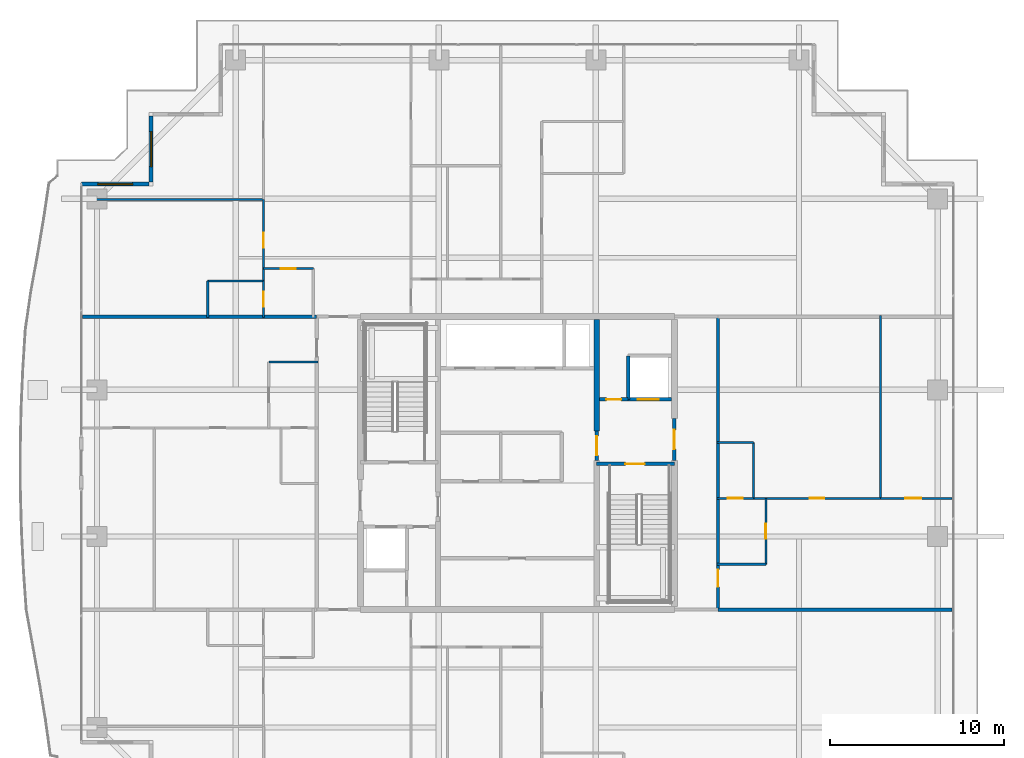
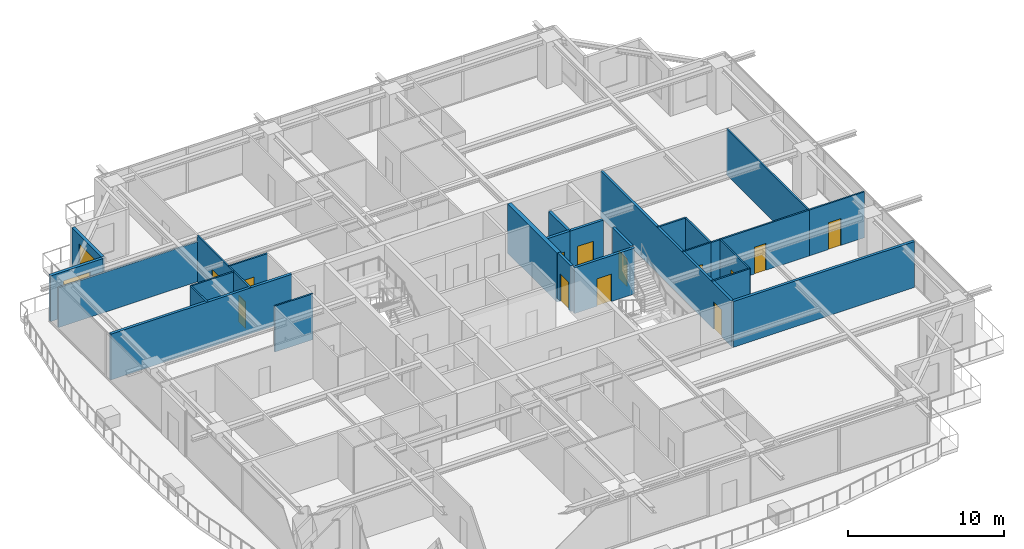
# One storey, part 27 of 36: 27 walls, 13 doors, 2 windows, 15 openings.
"""IFC4 building model written with IfcOpenShell, lengths in metres."""

from ifc_helpers import new_model, si_unit, direction, frame, frame_2d, origin, place, context, subcontext, project, spatial, rectangle, extrude, source, transform, mapped, material, layer, layer_set, type_object, element, fill, save


model = new_model("IFC4")

# Units and contexts
model_context = context("Model", 3, precision=1e-05, world=origin(), true_north=direction((0.0, 1.0)))
body_context = subcontext(model_context, "Body", "Model", "MODEL_VIEW")
ifc_project = project(units=[si_unit("LENGTHUNIT", "METRE"), si_unit("AREAUNIT", "SQUARE_METRE"), si_unit("VOLUMEUNIT", "CUBIC_METRE"), si_unit("PLANEANGLEUNIT", "RADIAN"), si_unit("MASSUNIT", "GRAM", prefix="KILO")], contexts=[model_context])

# Site, building, storey
site_placement = place(None, origin())
site = spatial("IfcSite", under=ifc_project, at=site_placement, CompositionType="ELEMENT")
building_placement = place(site_placement, origin())
building = spatial("IfcBuilding", under=site, at=building_placement, Name="Serunith Strait Residences", CompositionType="ELEMENT")
storey_placement = place(building_placement, frame((0.0, 0.0, 225.85009765625)))
storey = spatial("IfcBuildingStorey", under=building, at=storey_placement, Name="L56", CompositionType="ELEMENT", Elevation=225.85009765625)

# Wall, opening, window
ifc_material_1 = material(Name="Pale-Champagne Aluminium Insulated Panel", Category="aluminium")
ifc_layer_1 = layer(ifc_material_1, 0.219970703125, Name="Pale-Champagne Aluminium Insulated Panel")
ifc_layer_set_1 = layer_set([ifc_layer_1], Name="Pale-Champagne Aluminium Insulated Panel")
wall_type_1 = type_object("IfcWallType", Name="EW-ALUM-220", PredefinedType="ELEMENTEDWALL", material=ifc_layer_set_1)
wall_1_placement = place(storey_placement, frame((11.39990234375, 45.090087890625, 0.0), z_axis=(0.0, 0.0, 1.0), x_axis=(0.0, -1.0, 0.0)))
wall_1 = element("IfcWall", 1, at=wall_1_placement, inside=storey, type_object=wall_type_1, Name="L56 Girih Serrated Corner Wall 14", PredefinedType="ELEMENTEDWALL", context=body_context, shape_type="SweptSolid", body=[
    extrude(rectangle(XDim=3.780029296875, YDim=0.219970703125, at=frame_2d((1.89013671875, 0.0))), origin(), (0.0, 0.0, 1.0), 3.574951171875),
])
opening_1_placement = place(wall_1_placement, frame((0.889892578125, 0.0, 0.64990234375)))
opening_1 = element("IfcOpeningElement", 2, at=opening_1_placement, cuts=wall_1, Name="Opening W-04", PredefinedType="OPENING", context=body_context, shape_type="SweptSolid", body=[
    extrude(rectangle(XDim=2.0, YDim=2.199951171875, at=frame_2d((1.0, 1.10009765625))), frame((0.0, 0.1201171875, 0.0), z_axis=(0.0, -1.0, 0.0), x_axis=(1.0, 0.0, 0.0)), (0.0, 0.0, 1.0), 0.239990234375),
])
ifc_material_2 = material(Name="Ceramic-Fritted Operable Aluminium Window Glass", Category="aluminium")
window_type = type_object("IfcWindowType", Name="WIN-C4", PartitioningType="TRIPLE_PANEL_VERTICAL", PredefinedType="WINDOW", material=ifc_material_2)
shared_shape_1 = source(origin(), body_context, "Body", "SweptSolid", [
    extrude(rectangle(XDim=2.0, YDim=2.199951171875, at=frame_2d((1.0, 1.10009765625))), frame((0.0, 0.030029296875, 0.0), z_axis=(0.0, -1.0, 0.0), x_axis=(1.0, 0.0, 0.0)), (0.0, 0.0, 1.0), 0.06005859375),
])
window_1_placement = place(opening_1_placement, origin())
window_1 = element("IfcWindow", 3, at=window_1_placement, inside=storey, type_object=window_type, Name="L56 Corner Operable Fritted Window 14", OverallHeight=2.199951171875, OverallWidth=2.0, PartitioningType="SINGLE_PANEL", PredefinedType="WINDOW", context=body_context, shape_type="MappedRepresentation", body=[
    mapped(shared_shape_1, transform((0.0, 0.0, 0.0), scale=1.0)),
])
fill(opening_1, window_1)

wall_2_placement = place(storey_placement, frame((11.2900390625, 41.199951171875, 0.0), z_axis=(0.0, 0.0, 1.0), x_axis=(-1.0, 0.0, 0.0)))
wall_2 = element("IfcWall", 4, at=wall_2_placement, inside=storey, type_object=wall_type_1, Name="L56 Girih Serrated Corner Wall 15", PredefinedType="ELEMENTEDWALL", context=body_context, shape_type="SweptSolid", body=[
    extrude(rectangle(XDim=3.89013671875, YDim=0.219970703125, at=frame_2d((1.945068359375, 0.0))), origin(), (0.0, 0.0, 1.0), 3.574951171875),
])
opening_2_placement = place(wall_2_placement, frame((0.945068359375, 0.0, 0.64990234375)))
opening_2 = element("IfcOpeningElement", 5, at=opening_2_placement, cuts=wall_2, Name="Opening W-04", PredefinedType="OPENING", context=body_context, shape_type="SweptSolid", body=[
    extrude(rectangle(XDim=2.0, YDim=2.199951171875, at=frame_2d((1.0, 1.10009765625))), frame((0.0, 0.1201171875, 0.0), z_axis=(0.0, -1.0, 0.0), x_axis=(1.0, 0.0, 0.0)), (0.0, 0.0, 1.0), 0.239990234375),
])
window_2_placement = place(opening_2_placement, origin())
window_2 = element("IfcWindow", 6, at=window_2_placement, inside=storey, type_object=window_type, Name="L56 Corner Operable Fritted Window 15", OverallHeight=2.199951171875, OverallWidth=2.0, PartitioningType="SINGLE_PANEL", PredefinedType="WINDOW", context=body_context, shape_type="MappedRepresentation", body=[
    mapped(shared_shape_1, transform((0.0, 0.0, 0.0), scale=1.0)),
])
fill(opening_2, window_2)

# Wall, opening, door
ifc_material_3 = material(Name="Fire-rated acoustic gypsum partition")
ifc_layer_2 = layer(ifc_material_3, 0.179931640625, Name="Fire-rated acoustic gypsum partition")
ifc_layer_set_2 = layer_set([ifc_layer_2], Name="Fire-rated acoustic gypsum partition")
wall_type_2 = type_object("IfcWallType", Name="IW-CORR-180", PredefinedType="PARTITIONING", material=ifc_layer_set_2)
wall_3_placement = place(storey_placement, frame((43.89990234375, 16.800048828125, 0.0), z_axis=(0.0, 0.0, 1.0), x_axis=(0.0, 1.0, 0.0)))
wall_3 = element("IfcWall", 7, at=wall_3_placement, inside=storey, type_object=wall_type_2, Name="L56 Partition Wall 027", PredefinedType="PARTITIONING", context=body_context, shape_type="SweptSolid", body=[
    extrude(rectangle(XDim=16.800048828125, YDim=0.179931640625, at=frame_2d((8.39990234375, 0.0))), origin(), (0.0, 0.0, 1.0), 3.58984375),
])
opening_3_placement = place(wall_3_placement, frame((1.300048828125, 0.0, 0.0)))
opening_3 = element("IfcOpeningElement", 8, at=opening_3_placement, cuts=wall_3, Name="Opening D-APT1000", PredefinedType="OPENING", context=body_context, shape_type="SweptSolid", body=[
    extrude(rectangle(XDim=1.0, YDim=2.14990234375, at=frame_2d((0.5, 1.074951171875))), frame((0.0, 0.10009765625, 0.0), z_axis=(0.0, -1.0, 0.0), x_axis=(1.0, 0.0, 0.0)), (0.0, 0.0, 1.0), 0.199951171875),
])
ifc_material_4 = material(Name="Solid timber engineered fire door", Category="wood")
door_type_1 = type_object("IfcDoorType", Name="ID-APT-1000", OperationType="NOTDEFINED", PredefinedType="DOOR", material=ifc_material_4)
shared_shape_2 = source(origin(), body_context, "Body", "SweptSolid", [
    extrude(rectangle(XDim=1.0, YDim=2.14990234375, at=frame_2d((0.5, 1.074951171875))), frame((0.0, 0.02490234375, 0.0), z_axis=(0.0, -1.0, 0.0), x_axis=(1.0, 0.0, 0.0)), (0.0, 0.0, 1.0), 0.050048828125),
])
door_1_placement = place(opening_3_placement, origin())
door_1 = element("IfcDoor", 9, at=door_1_placement, inside=storey, type_object=door_type_1, Name="L56 Unit 04 Entrance Door", OperationType="SINGLE_SWING_RIGHT", OverallHeight=2.14990234375, OverallWidth=1.0, PredefinedType="DOOR", context=body_context, shape_type="MappedRepresentation", body=[
    mapped(shared_shape_2, transform((0.0, 0.0, 0.0), scale=1.0)),
])
fill(opening_3, door_1)

ifc_material_5 = material(Name="Lightweight steel-stud gypsum partition", Category="steel")
ifc_layer_3 = layer(ifc_material_5, 0.1201171875, Name="Lightweight steel-stud gypsum partition")
ifc_layer_set_3 = layer_set([ifc_layer_3], Name="Lightweight steel-stud gypsum partition")
wall_type_3 = type_object("IfcWallType", Name="IW-PART-120", PredefinedType="PARTITIONING", material=ifc_layer_set_3)
wall_4_placement = place(storey_placement, frame((17.85009765625, 36.35009765625, 0.0), z_axis=(0.0, 0.0, 1.0), x_axis=(1.0, 0.0, 0.0)))
wall_4 = element("IfcWall", 10, at=wall_4_placement, inside=storey, type_object=wall_type_3, Name="L56 Partition Wall 051", PredefinedType="PARTITIONING", context=body_context, shape_type="SweptSolid", body=[
    extrude(rectangle(XDim=2.849853515625, YDim=0.1201171875, at=frame_2d((1.4248046875, 0.0))), origin(), (0.0, 0.0, 1.0), 3.58984375),
])
opening_4_placement = place(wall_4_placement, frame((1.0, 0.0, 0.0)))
opening_4 = element("IfcOpeningElement", 11, at=opening_4_placement, cuts=wall_4, Name="Opening D-RM850", PredefinedType="OPENING", context=body_context, shape_type="SweptSolid", body=[
    extrude(rectangle(XDim=0.85009765625, YDim=2.10009765625, at=frame_2d((0.425048828125, 1.050048828125))), frame((0.0, 0.070068359375, 0.0), z_axis=(0.0, -1.0, 0.0), x_axis=(1.0, 0.0, 0.0)), (0.0, 0.0, 1.0), 0.14013671875),
])
ifc_material_6 = material(Name="Engineered timber flush study and kitchen door", Category="wood")
door_type_2 = type_object("IfcDoorType", Name="ID-ROOM-850", OperationType="NOTDEFINED", PredefinedType="DOOR", material=ifc_material_6)
shared_shape_3 = source(origin(), body_context, "Body", "SweptSolid", [
    extrude(rectangle(XDim=0.85009765625, YDim=2.10009765625, at=frame_2d((0.425048828125, 1.050048828125))), frame((0.0, 0.02490234375, 0.0), z_axis=(0.0, -1.0, 0.0), x_axis=(1.0, 0.0, 0.0)), (0.0, 0.0, 1.0), 0.050048828125),
])
door_2_placement = place(opening_4_placement, origin())
door_2 = element("IfcDoor", 12, at=door_2_placement, inside=storey, type_object=door_type_2, Name="L56 Kitchen 5602 Door", OperationType="SINGLE_SWING_RIGHT", OverallHeight=2.10009765625, OverallWidth=0.85009765625, PredefinedType="DOOR", context=body_context, shape_type="MappedRepresentation", body=[
    mapped(shared_shape_3, transform((0.0, 0.0, 0.0), scale=1.0)),
])
fill(opening_4, door_2)

# Walls
wall_5_placement = place(storey_placement, frame((7.4951171875, 40.305908203125, 0.0), z_axis=(0.0, 0.0, 1.0), x_axis=(1.0, 0.0, 0.0)))
element("IfcWall", 13, at=wall_5_placement, inside=storey, type_object=wall_type_3, Name="L56 Partition Wall 054", PredefinedType="PARTITIONING", context=body_context, shape_type="SweptSolid", body=[
    extrude(rectangle(XDim=10.35498046875, YDim=0.1201171875, at=frame_2d((5.177490234375, 0.0))), origin(), (0.0, 0.0, 1.0), 3.121826171875),
])
wall_6_placement = place(storey_placement, frame((14.64990234375, 35.64990234375, 0.0), z_axis=(0.0, 0.0, 1.0), x_axis=(1.0, 0.0, 0.0)))
element("IfcWall", 14, at=wall_6_placement, inside=storey, type_object=wall_type_3, Name="L56 Partition Wall 055", PredefinedType="PARTITIONING", context=body_context, shape_type="SweptSolid", body=[
    extrude(rectangle(XDim=3.2001953125, YDim=0.1201171875, at=frame_2d((1.60009765625, 0.0))), origin(), (0.0, 0.0, 1.0), 3.58984375),
])
wall_7_placement = place(storey_placement, frame((14.64990234375, 35.64990234375, 0.0), z_axis=(0.0, 0.0, 1.0), x_axis=(0.0, -1.0, 0.0)))
element("IfcWall", 15, at=wall_7_placement, inside=storey, type_object=wall_type_3, Name="L56 Partition Wall 056", PredefinedType="PARTITIONING", context=body_context, shape_type="SweptSolid", body=[
    extrude(rectangle(XDim=2.10986328125, YDim=0.1201171875, at=frame_2d((1.054931640625, 0.0))), origin(), (0.0, 0.0, 1.0), 3.58984375),
])

# Wall, opening, door
wall_8_placement = place(storey_placement, frame((17.85009765625, 40.303955078125, 0.0), z_axis=(0.0, 0.0, 1.0), x_axis=(0.0, -1.0, 0.0)))
wall_8 = element("IfcWall", 16, at=wall_8_placement, inside=storey, type_object=wall_type_3, Name="L56 Partition Wall 057", PredefinedType="PARTITIONING", context=body_context, shape_type="SweptSolid", body=[
    extrude(rectangle(XDim=4.654052734375, YDim=0.1201171875, at=frame_2d((2.3271484375, 0.0))), origin(), (0.0, 0.0, 1.0), 3.58984375),
])
opening_5_placement = place(wall_8_placement, frame((1.902099609375, 0.0, 0.0)))
opening_5 = element("IfcOpeningElement", 17, at=opening_5_placement, cuts=wall_8, Name="Opening D-RM850", PredefinedType="OPENING", context=body_context, shape_type="SweptSolid", body=[
    extrude(rectangle(XDim=0.85009765625, YDim=2.10009765625, at=frame_2d((0.425048828125, 1.050048828125))), frame((0.0, 0.070068359375, 0.0), z_axis=(0.0, -1.0, 0.0), x_axis=(1.0, 0.0, 0.0)), (0.0, 0.0, 1.0), 0.14013671875),
])
door_3_placement = place(opening_5_placement, origin())
door_3 = element("IfcDoor", 18, at=door_3_placement, inside=storey, type_object=door_type_2, Name="L56 Walk-in Wardrobe 5602 Door", OperationType="SINGLE_SWING_RIGHT", OverallHeight=2.10009765625, OverallWidth=0.85009765625, PredefinedType="DOOR", context=body_context, shape_type="MappedRepresentation", body=[
    mapped(shared_shape_3, transform((0.0, 0.0, 0.0), scale=1.0)),
])
fill(opening_5, door_3)

wall_9_placement = place(storey_placement, frame((17.85009765625, 35.64794921875, 0.0), z_axis=(0.0, 0.0, 1.0), x_axis=(0.0, -1.0, 0.0)))
wall_9 = element("IfcWall", 19, at=wall_9_placement, inside=storey, type_object=wall_type_3, Name="L56 Partition Wall 058", PredefinedType="PARTITIONING", context=body_context, shape_type="SweptSolid", body=[
    extrude(rectangle(XDim=2.10791015625, YDim=0.1201171875, at=frame_2d((1.053955078125, 0.0))), origin(), (0.0, 0.0, 1.0), 3.58984375),
])
opening_6_placement = place(wall_9_placement, frame((0.62890625, 0.0, 0.0)))
opening_6 = element("IfcOpeningElement", 20, at=opening_6_placement, cuts=wall_9, Name="Opening D-BTH850", PredefinedType="OPENING", context=body_context, shape_type="SweptSolid", body=[
    extrude(rectangle(XDim=0.85009765625, YDim=2.10009765625, at=frame_2d((0.425048828125, 1.050048828125))), frame((0.0, 0.070068359375, 0.0), z_axis=(0.0, -1.0, 0.0), x_axis=(1.0, 0.0, 0.0)), (0.0, 0.0, 1.0), 0.14013671875),
])
ifc_material_7 = material(Name="Moisture-resistant timber bathroom door", Category="wood")
door_type_3 = type_object("IfcDoorType", Name="ID-BATH-850", OperationType="NOTDEFINED", PredefinedType="DOOR", material=ifc_material_7)
door_4_placement = place(opening_6_placement, origin())
door_4 = element("IfcDoor", 21, at=door_4_placement, inside=storey, type_object=door_type_3, Name="L56 Bathroom 5602 Door", OperationType="SINGLE_SWING_LEFT", OverallHeight=2.10009765625, OverallWidth=0.85009765625, PredefinedType="DOOR", context=body_context, shape_type="MappedRepresentation", body=[
    mapped(shared_shape_3, transform((0.0, 0.0, 0.0), scale=1.0)),
])
fill(opening_6, door_4)

# Wall
wall_10_placement = place(storey_placement, frame((18.14990234375, 31.0, 0.0), z_axis=(0.0, 0.0, 1.0), x_axis=(1.0, 0.0, 0.0)))
element("IfcWall", 22, at=wall_10_placement, inside=storey, type_object=wall_type_3, Name="L56 Partition Wall 075", PredefinedType="PARTITIONING", context=body_context, shape_type="SweptSolid", body=[
    extrude(rectangle(XDim=2.81005859375, YDim=0.1201171875, at=frame_2d((1.405029296875, 0.0))), origin(), (0.0, 0.0, 1.0), 3.58984375),
])

# Wall, opening, door
wall_11_placement = place(storey_placement, frame((46.64990234375, 19.39990234375, 0.0), z_axis=(0.0, 0.0, 1.0), x_axis=(0.0, 1.0, 0.0)))
wall_11 = element("IfcWall", 23, at=wall_11_placement, inside=storey, type_object=wall_type_3, Name="L56 Partition Wall 082", PredefinedType="PARTITIONING", context=body_context, shape_type="SweptSolid", body=[
    extrude(rectangle(XDim=3.780029296875, YDim=0.1201171875, at=frame_2d((1.89013671875, 0.0))), origin(), (0.0, 0.0, 1.0), 3.58984375),
])
opening_7_placement = place(wall_11_placement, frame((1.465087890625, 0.0, 0.0)))
opening_7 = element("IfcOpeningElement", 24, at=opening_7_placement, cuts=wall_11, Name="Opening D-RM850", PredefinedType="OPENING", context=body_context, shape_type="SweptSolid", body=[
    extrude(rectangle(XDim=0.85009765625, YDim=2.10009765625, at=frame_2d((0.425048828125, 1.050048828125))), frame((0.0, 0.070068359375, 0.0), z_axis=(0.0, -1.0, 0.0), x_axis=(1.0, 0.0, 0.0)), (0.0, 0.0, 1.0), 0.14013671875),
])
door_5_placement = place(opening_7_placement, origin())
door_5 = element("IfcDoor", 25, at=door_5_placement, inside=storey, type_object=door_type_2, Name="L56 Kitchen 5604 Door", OperationType="SINGLE_SWING_LEFT", OverallHeight=2.10009765625, OverallWidth=0.85009765625, PredefinedType="DOOR", context=body_context, shape_type="MappedRepresentation", body=[
    mapped(shared_shape_3, transform((0.0, 0.0, 0.0), scale=1.0)),
])
fill(opening_7, door_5)

# Wall
wall_12_placement = place(storey_placement, frame((46.64990234375, 19.39990234375, 0.0), z_axis=(0.0, 0.0, 1.0), x_axis=(-1.0, 0.0, 0.0)))
element("IfcWall", 26, at=wall_12_placement, inside=storey, type_object=wall_type_3, Name="L56 Partition Wall 083", PredefinedType="PARTITIONING", context=body_context, shape_type="SweptSolid", body=[
    extrude(rectangle(XDim=2.809814453125, YDim=0.1201171875, at=frame_2d((1.40478515625, 0.0))), origin(), (0.0, 0.0, 1.0), 3.58984375),
])

# Wall, opening, door
wall_13_placement = place(storey_placement, frame((57.304931640625, 23.179931640625, 0.0), z_axis=(0.0, 0.0, 1.0), x_axis=(-1.0, 0.0, 0.0)))
wall_13 = element("IfcWall", 27, at=wall_13_placement, inside=storey, type_object=wall_type_3, Name="L56 Partition Wall 084", PredefinedType="PARTITIONING", context=body_context, shape_type="SweptSolid", body=[
    extrude(rectangle(XDim=4.0888671875, YDim=0.1201171875, at=frame_2d((2.04443359375, 0.0))), origin(), (0.0, 0.0, 1.0), 3.58984375),
])
opening_8_placement = place(wall_13_placement, frame((1.75390625, 0.0, 0.0)))
opening_8 = element("IfcOpeningElement", 28, at=opening_8_placement, cuts=wall_13, Name="Opening D-RM900", PredefinedType="OPENING", context=body_context, shape_type="SweptSolid", body=[
    extrude(rectangle(XDim=0.89990234375, YDim=2.10009765625, at=frame_2d((0.449951171875, 1.050048828125))), frame((0.0, 0.070068359375, 0.0), z_axis=(0.0, -1.0, 0.0), x_axis=(1.0, 0.0, 0.0)), (0.0, 0.0, 1.0), 0.14013671875),
])
ifc_material_8 = material(Name="Engineered timber flush bedroom door", Category="wood")
door_type_4 = type_object("IfcDoorType", Name="ID-ROOM-900", OperationType="NOTDEFINED", PredefinedType="DOOR", material=ifc_material_8)
shared_shape_4 = source(origin(), body_context, "Body", "SweptSolid", [
    extrude(rectangle(XDim=0.89990234375, YDim=2.10009765625, at=frame_2d((0.449951171875, 1.050048828125))), frame((0.0, 0.02490234375, 0.0), z_axis=(0.0, -1.0, 0.0), x_axis=(1.0, 0.0, 0.0)), (0.0, 0.0, 1.0), 0.050048828125),
])
door_6_placement = place(opening_8_placement, origin())
door_6 = element("IfcDoor", 29, at=door_6_placement, inside=storey, type_object=door_type_4, Name="L56 Master Bedroom 1 5604 Door", OperationType="SINGLE_SWING_RIGHT", OverallHeight=2.10009765625, OverallWidth=0.89990234375, PredefinedType="DOOR", context=body_context, shape_type="MappedRepresentation", body=[
    mapped(shared_shape_4, transform((0.0, 0.0, 0.0), scale=1.0)),
])
fill(opening_8, door_6)

# Walls
wall_14_placement = place(storey_placement, frame((53.216064453125, 23.179931640625, 0.0), z_axis=(0.0, 0.0, 1.0), x_axis=(0.0, 1.0, 0.0)))
element("IfcWall", 30, at=wall_14_placement, inside=storey, type_object=wall_type_3, Name="L56 Partition Wall 085", PredefinedType="PARTITIONING", context=body_context, shape_type="SweptSolid", body=[
    extrude(rectangle(XDim=10.47998046875, YDim=0.1201171875, at=frame_2d((5.239990234375, 0.0))), origin(), (0.0, 0.0, 1.0), 3.58984375),
])
wall_15_placement = place(storey_placement, frame((45.949951171875, 23.179931640625, 0.0), z_axis=(0.0, 0.0, 1.0), x_axis=(0.0, 1.0, 0.0)))
element("IfcWall", 31, at=wall_15_placement, inside=storey, type_object=wall_type_3, Name="L56 Partition Wall 086", PredefinedType="PARTITIONING", context=body_context, shape_type="SweptSolid", body=[
    extrude(rectangle(XDim=3.199951171875, YDim=0.1201171875, at=frame_2d((1.60009765625, 0.0))), origin(), (0.0, 0.0, 1.0), 3.58984375),
])
wall_16_placement = place(storey_placement, frame((45.949951171875, 26.3798828125, 0.0), z_axis=(0.0, 0.0, 1.0), x_axis=(-1.0, 0.0, 0.0)))
element("IfcWall", 32, at=wall_16_placement, inside=storey, type_object=wall_type_3, Name="L56 Partition Wall 087", PredefinedType="PARTITIONING", context=body_context, shape_type="SweptSolid", body=[
    extrude(rectangle(XDim=2.10986328125, YDim=0.1201171875, at=frame_2d((1.054931640625, 0.0))), origin(), (0.0, 0.0, 1.0), 3.58984375),
])

# Wall, opening, door
wall_17_placement = place(storey_placement, frame((53.214111328125, 23.179931640625, 0.0), z_axis=(0.0, 0.0, 1.0), x_axis=(-1.0, 0.0, 0.0)))
wall_17 = element("IfcWall", 33, at=wall_17_placement, inside=storey, type_object=wall_type_3, Name="L56 Partition Wall 088", PredefinedType="PARTITIONING", context=body_context, shape_type="SweptSolid", body=[
    extrude(rectangle(XDim=7.26416015625, YDim=0.1201171875, at=frame_2d((3.632080078125, 0.0))), origin(), (0.0, 0.0, 1.0), 3.58984375),
])
opening_9_placement = place(wall_17_placement, frame((3.20703125, 0.0, 0.0)))
opening_9 = element("IfcOpeningElement", 34, at=opening_9_placement, cuts=wall_17, Name="Opening D-RM850", PredefinedType="OPENING", context=body_context, shape_type="SweptSolid", body=[
    extrude(rectangle(XDim=0.85009765625, YDim=2.10009765625, at=frame_2d((0.425048828125, 1.050048828125))), frame((0.0, 0.070068359375, 0.0), z_axis=(0.0, -1.0, 0.0), x_axis=(1.0, 0.0, 0.0)), (0.0, 0.0, 1.0), 0.14013671875),
])
door_7_placement = place(opening_9_placement, origin())
door_7 = element("IfcDoor", 35, at=door_7_placement, inside=storey, type_object=door_type_2, Name="L56 Walk-in Wardrobe 5604 Door", OperationType="SINGLE_SWING_LEFT", OverallHeight=2.10009765625, OverallWidth=0.85009765625, PredefinedType="DOOR", context=body_context, shape_type="MappedRepresentation", body=[
    mapped(shared_shape_3, transform((0.0, 0.0, 0.0), scale=1.0)),
])
fill(opening_9, door_7)

wall_18_placement = place(storey_placement, frame((45.947998046875, 23.179931640625, 0.0), z_axis=(0.0, 0.0, 1.0), x_axis=(-1.0, 0.0, 0.0)))
wall_18 = element("IfcWall", 36, at=wall_18_placement, inside=storey, type_object=wall_type_3, Name="L56 Partition Wall 089", PredefinedType="PARTITIONING", context=body_context, shape_type="SweptSolid", body=[
    extrude(rectangle(XDim=2.10791015625, YDim=0.1201171875, at=frame_2d((1.053955078125, 0.0))), origin(), (0.0, 0.0, 1.0), 3.58984375),
])
opening_10_placement = place(wall_18_placement, frame((0.62890625, 0.0, 0.0)))
opening_10 = element("IfcOpeningElement", 37, at=opening_10_placement, cuts=wall_18, Name="Opening D-BTH850", PredefinedType="OPENING", context=body_context, shape_type="SweptSolid", body=[
    extrude(rectangle(XDim=0.85009765625, YDim=2.10009765625, at=frame_2d((0.425048828125, 1.050048828125))), frame((0.0, 0.070068359375, 0.0), z_axis=(0.0, -1.0, 0.0), x_axis=(1.0, 0.0, 0.0)), (0.0, 0.0, 1.0), 0.14013671875),
])
door_8_placement = place(opening_10_placement, origin())
door_8 = element("IfcDoor", 38, at=door_8_placement, inside=storey, type_object=door_type_3, Name="L56 Bathroom 5604 Door", OperationType="SINGLE_SWING_RIGHT", OverallHeight=2.10009765625, OverallWidth=0.85009765625, PredefinedType="DOOR", context=body_context, shape_type="MappedRepresentation", body=[
    mapped(shared_shape_3, transform((0.0, 0.0, 0.0), scale=1.0)),
])
fill(opening_10, door_8)

# Walls
ifc_material_9 = material(Name="Twin-stud acoustic gypsum board partition")
ifc_layer_4 = layer(ifc_material_9, 0.199951171875, Name="Twin-stud acoustic gypsum board partition")
ifc_layer_set_4 = layer_set([ifc_layer_4], Name="Twin-stud acoustic gypsum board partition")
wall_type_4 = type_object("IfcWallType", Name="IW-PARTY-200", PredefinedType="PARTITIONING", material=ifc_layer_set_4)
wall_19_placement = place(storey_placement, frame((43.89990234375, 16.800048828125, 0.0), z_axis=(0.0, 0.0, 1.0), x_axis=(1.0, 0.0, 0.0)))
element("IfcWall", 39, at=wall_19_placement, inside=storey, type_object=wall_type_4, Name="L56 Partition Wall 019", PredefinedType="PARTITIONING", context=body_context, shape_type="SweptSolid", body=[
    extrude(rectangle(XDim=13.418212890625, YDim=0.199951171875, at=frame_2d((6.708984375, 0.0))), origin(), (0.0, 0.0, 1.0), 3.58984375),
])
wall_20_placement = place(storey_placement, frame((7.48193359375, 33.60009765625, 0.0), z_axis=(0.0, 0.0, 1.0), x_axis=(1.0, 0.0, 0.0)))
element("IfcWall", 40, at=wall_20_placement, inside=storey, type_object=wall_type_4, Name="L56 Partition Wall 020", PredefinedType="PARTITIONING", context=body_context, shape_type="SweptSolid", body=[
    extrude(rectangle(XDim=13.41796875, YDim=0.199951171875, at=frame_2d((6.708984375, 0.0))), origin(), (0.0, 0.0, 1.0), 3.58984375),
])

# Wall, opening, door
ifc_material_10 = material(Name="Autoclaved aerated concrete blockwork", Category="masonry")
ifc_layer_5 = layer(ifc_material_10, 0.199951171875, Name="Autoclaved aerated concrete blockwork")
ifc_layer_set_5 = layer_set([ifc_layer_5], Name="Autoclaved aerated concrete blockwork")
wall_type_5 = type_object("IfcWallType", Name="IW-SHAFT-200", PredefinedType="STANDARD", material=ifc_layer_set_5)
wall_21_placement = place(storey_placement, frame((36.949951171875, 25.14990234375, 0.0), z_axis=(0.0, 0.0, 1.0), x_axis=(1.0, 0.0, 0.0)))
wall_21 = element("IfcWall", 41, at=wall_21_placement, inside=storey, type_object=wall_type_5, Name="L56 ST-2 North Shaft Wall", PredefinedType="STANDARD", context=body_context, shape_type="SweptSolid", body=[
    extrude(rectangle(XDim=4.449951171875, YDim=0.199951171875, at=frame_2d((2.22509765625, 0.0))), origin(), (0.0, 0.0, 1.0), 3.58984375),
])
opening_11_placement = place(wall_21_placement, frame((1.64990234375, 0.0, 0.0)))
opening_11 = element("IfcOpeningElement", 42, at=opening_11_placement, cuts=wall_21, Name="Opening FD-1100", PredefinedType="OPENING", context=body_context, shape_type="SweptSolid", body=[
    extrude(rectangle(XDim=1.10009765625, YDim=2.14990234375, at=frame_2d((0.550048828125, 1.074951171875))), frame((0.0, 0.10986328125, 0.0), z_axis=(0.0, -1.0, 0.0), x_axis=(1.0, 0.0, 0.0)), (0.0, 0.0, 1.0), 0.219970703125),
])
ifc_material_11 = material(Name="Galvanised steel fire door leaf", Category="steel")
door_type_5 = type_object("IfcDoorType", Name="FD-STAIR-1100", OperationType="NOTDEFINED", PredefinedType="DOOR", material=ifc_material_11)
shared_shape_5 = source(origin(), body_context, "Body", "SweptSolid", [
    extrude(rectangle(XDim=1.10009765625, YDim=2.14990234375, at=frame_2d((0.550048828125, 1.074951171875))), frame((0.0, 0.02490234375, 0.0), z_axis=(0.0, -1.0, 0.0), x_axis=(1.0, 0.0, 0.0)), (0.0, 0.0, 1.0), 0.050048828125),
])
door_9_placement = place(opening_11_placement, origin())
door_9 = element("IfcDoor", 43, at=door_9_placement, inside=storey, type_object=door_type_5, Name="L56 ST-2 Escape Stair Door", OperationType="SINGLE_SWING_LEFT", OverallHeight=2.14990234375, OverallWidth=1.10009765625, PredefinedType="DOOR", context=body_context, shape_type="MappedRepresentation", body=[
    mapped(shared_shape_5, transform((0.0, 0.0, 0.0), scale=1.0)),
])
fill(opening_11, door_9)

wall_22_placement = place(storey_placement, frame((38.75, 28.85009765625, 0.0), z_axis=(0.0, 0.0, 1.0), x_axis=(1.0, 0.0, 0.0)))
wall_22 = element("IfcWall", 44, at=wall_22_placement, inside=storey, type_object=wall_type_5, Name="L56 FL-2 South Shaft Wall", PredefinedType="STANDARD", context=body_context, shape_type="SweptSolid", body=[
    extrude(rectangle(XDim=2.47509765625, YDim=0.199951171875, at=frame_2d((1.237548828125, 0.0))), origin(), (0.0, 0.0, 1.0), 3.58984375),
])
opening_12_placement = place(wall_22_placement, frame((0.550048828125, 0.0, 0.0)))
opening_12 = element("IfcOpeningElement", 45, at=opening_12_placement, cuts=wall_22, Name="Opening LD-FF1200", PredefinedType="OPENING", context=body_context, shape_type="SweptSolid", body=[
    extrude(rectangle(XDim=1.199951171875, YDim=2.199951171875, at=frame_2d((0.60009765625, 1.10009765625))), frame((0.0, 0.10986328125, 0.0), z_axis=(0.0, -1.0, 0.0), x_axis=(1.0, 0.0, 0.0)), (0.0, 0.0, 1.0), 0.219970703125),
])
ifc_material_12 = material(Name="Brushed stainless steel landing door", Category="steel")
door_type_6 = type_object("IfcDoorType", Name="LD-FF-1200", OperationType="DOUBLE_DOOR_SLIDING", PredefinedType="DOOR", material=ifc_material_12)
shared_shape_6 = source(origin(), body_context, "Body", "SweptSolid", [
    extrude(rectangle(XDim=1.199951171875, YDim=2.199951171875, at=frame_2d((0.60009765625, 1.10009765625))), frame((0.0, 0.02490234375, 0.0), z_axis=(0.0, -1.0, 0.0), x_axis=(1.0, 0.0, 0.0)), (0.0, 0.0, 1.0), 0.050048828125),
])
door_10_placement = place(opening_12_placement, origin())
door_10 = element("IfcDoor", 46, at=door_10_placement, inside=storey, type_object=door_type_6, Name="L56 FL-2 Landing Door", OperationType="DOUBLE_DOOR_SLIDING", OverallHeight=2.199951171875, OverallWidth=1.199951171875, PredefinedType="DOOR", context=body_context, shape_type="MappedRepresentation", body=[
    mapped(shared_shape_6, transform((0.0, 0.0, 0.0), scale=1.0)),
])
fill(opening_12, door_10)

# Wall
wall_23_placement = place(storey_placement, frame((38.75, 28.85009765625, 0.0), z_axis=(0.0, 0.0, 1.0), x_axis=(0.0, 1.0, 0.0)))
element("IfcWall", 47, at=wall_23_placement, inside=storey, type_object=wall_type_5, Name="L56 Partition Wall 004", PredefinedType="STANDARD", context=body_context, shape_type="SweptSolid", body=[
    extrude(rectangle(XDim=2.5, YDim=0.199951171875, at=frame_2d((1.25, 0.0))), origin(), (0.0, 0.0, 1.0), 3.58984375),
])

# Wall, opening, door
wall_24_placement = place(storey_placement, frame((37.10009765625, 28.85009765625, 0.0), z_axis=(0.0, 0.0, 1.0), x_axis=(1.0, 0.0, 0.0)))
wall_24 = element("IfcWall", 48, at=wall_24_placement, inside=storey, type_object=wall_type_5, Name="L56 Partition Wall 006", PredefinedType="STANDARD", context=body_context, shape_type="SweptSolid", body=[
    extrude(rectangle(XDim=1.64794921875, YDim=0.199951171875, at=frame_2d((0.823974609375, 0.0))), origin(), (0.0, 0.0, 1.0), 3.58984375),
])
opening_13_placement = place(wall_24_placement, frame((0.39892578125, 0.0, 0.0)))
opening_13 = element("IfcOpeningElement", 49, at=opening_13_placement, cuts=wall_24, Name="Opening FD-850", PredefinedType="OPENING", context=body_context, shape_type="SweptSolid", body=[
    extrude(rectangle(XDim=0.85009765625, YDim=2.10009765625, at=frame_2d((0.425048828125, 1.050048828125))), frame((0.0, 0.10986328125, 0.0), z_axis=(0.0, -1.0, 0.0), x_axis=(1.0, 0.0, 0.0)), (0.0, 0.0, 1.0), 0.219970703125),
])
ifc_material_13 = material(Name="Powder-coated steel service closet door", Category="steel")
door_type_7 = type_object("IfcDoorType", Name="FD-BOH-850", OperationType="NOTDEFINED", PredefinedType="DOOR", material=ifc_material_13)
door_11_placement = place(opening_13_placement, origin())
door_11 = element("IfcDoor", 50, at=door_11_placement, inside=storey, type_object=door_type_7, Name="L56 North-East Core Service Door", OperationType="SINGLE_SWING_RIGHT", OverallHeight=2.10009765625, OverallWidth=0.85009765625, PredefinedType="DOOR", context=body_context, shape_type="MappedRepresentation", body=[
    mapped(shared_shape_3, transform((0.0, 0.0, 0.0), scale=1.0)),
])
fill(opening_13, door_11)

wall_25_placement = place(storey_placement, frame((41.39990234375, 25.35205078125, 0.0), z_axis=(0.0, 0.0, 1.0), x_axis=(0.0, 1.0, 0.0)))
wall_25 = element("IfcWall", 51, at=wall_25_placement, inside=storey, type_object=wall_type_5, Name="L56 Partition Wall 008", PredefinedType="STANDARD", context=body_context, shape_type="SweptSolid", body=[
    extrude(rectangle(XDim=2.39599609375, YDim=0.199951171875, at=frame_2d((1.197998046875, 0.0))), origin(), (0.0, 0.0, 1.0), 3.58984375),
])
opening_14_placement = place(wall_25_placement, frame((0.64794921875, 0.0, 0.0)))
opening_14 = element("IfcOpeningElement", 52, at=opening_14_placement, cuts=wall_25, Name="Opening FD-FFL", PredefinedType="OPENING", context=body_context, shape_type="SweptSolid", body=[
    extrude(rectangle(XDim=1.10009765625, YDim=2.14990234375, at=frame_2d((0.550048828125, 1.074951171875))), frame((0.0, 0.10986328125, 0.0), z_axis=(0.0, -1.0, 0.0), x_axis=(1.0, 0.0, 0.0)), (0.0, 0.0, 1.0), 0.219970703125),
])
ifc_material_14 = material(Name="Glazed steel smoke-lobby fire door", Category="steel")
door_type_8 = type_object("IfcDoorType", Name="FD-FFL-1100", OperationType="NOTDEFINED", PredefinedType="DOOR", material=ifc_material_14)
door_12_placement = place(opening_14_placement, origin())
door_12 = element("IfcDoor", 53, at=door_12_placement, inside=storey, type_object=door_type_8, Name="L56 FFL-2 Corridor Fire Door", OperationType="SINGLE_SWING_RIGHT", OverallHeight=2.14990234375, OverallWidth=1.10009765625, PredefinedType="DOOR", context=body_context, shape_type="MappedRepresentation", body=[
    mapped(shared_shape_5, transform((0.0, 0.0, 0.0), scale=1.0)),
])
fill(opening_14, door_12)

wall_26_placement = place(storey_placement, frame((36.949951171875, 25.35205078125, 0.0), z_axis=(0.0, 0.0, 1.0), x_axis=(0.0, 1.0, 0.0)))
wall_26 = element("IfcWall", 54, at=wall_26_placement, inside=storey, type_object=wall_type_5, Name="L56 Partition Wall 010", PredefinedType="STANDARD", context=body_context, shape_type="SweptSolid", body=[
    extrude(rectangle(XDim=1.696044921875, YDim=0.199951171875, at=frame_2d((0.84814453125, 0.0))), origin(), (0.0, 0.0, 1.0), 3.58984375),
])
opening_15_placement = place(wall_26_placement, frame((0.298095703125, 0.0, 0.0)))
opening_15 = element("IfcOpeningElement", 55, at=opening_15_placement, cuts=wall_26, Name="Opening FD-FFL", PredefinedType="OPENING", context=body_context, shape_type="SweptSolid", body=[
    extrude(rectangle(XDim=1.10009765625, YDim=2.14990234375, at=frame_2d((0.550048828125, 1.074951171875))), frame((0.0, 0.10986328125, 0.0), z_axis=(0.0, -1.0, 0.0), x_axis=(1.0, 0.0, 0.0)), (0.0, 0.0, 1.0), 0.219970703125),
])
door_13_placement = place(opening_15_placement, origin())
door_13 = element("IfcDoor", 56, at=door_13_placement, inside=storey, type_object=door_type_8, Name="L56 FFL-2 Lift Lobby Door", OperationType="SINGLE_SWING_RIGHT", OverallHeight=2.14990234375, OverallWidth=1.10009765625, PredefinedType="DOOR", context=body_context, shape_type="MappedRepresentation", body=[
    mapped(shared_shape_5, transform((0.0, 0.0, 0.0), scale=1.0)),
])
fill(opening_15, door_13)

# Wall
ifc_material_15 = material(Name="Concrete C60/75", Category="concrete")
ifc_layer_6 = layer(ifc_material_15, 0.300048828125, Name="Concrete C60/75")
ifc_layer_set_6 = layer_set([ifc_layer_6], Name="Concrete C60/75")
wall_type_6 = type_object("IfcWallType", Name="SW-300-C60", PredefinedType="SHEAR", material=ifc_layer_set_6)
wall_27_placement = place(storey_placement, frame((36.949951171875, 27.050048828125, -0.260009765625), z_axis=(0.0, 0.0, 1.0), x_axis=(0.0, 1.0, 0.0)))
element("IfcWall", 57, at=wall_27_placement, inside=storey, type_object=wall_type_6, Name="L56 Core Internal East Web North Pier", PredefinedType="SHEAR", context=body_context, shape_type="SweptSolid", body=[
    extrude(rectangle(XDim=6.375, YDim=0.300048828125, at=frame_2d((3.1875, 0.0))), origin(), (0.0, 0.0, 1.0), 3.847900390625),
])

save(model, "model.ifc")
